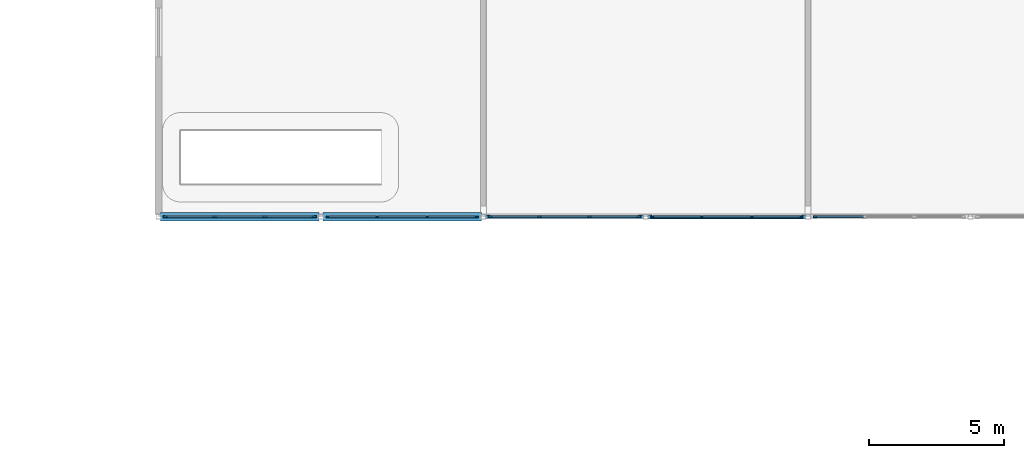
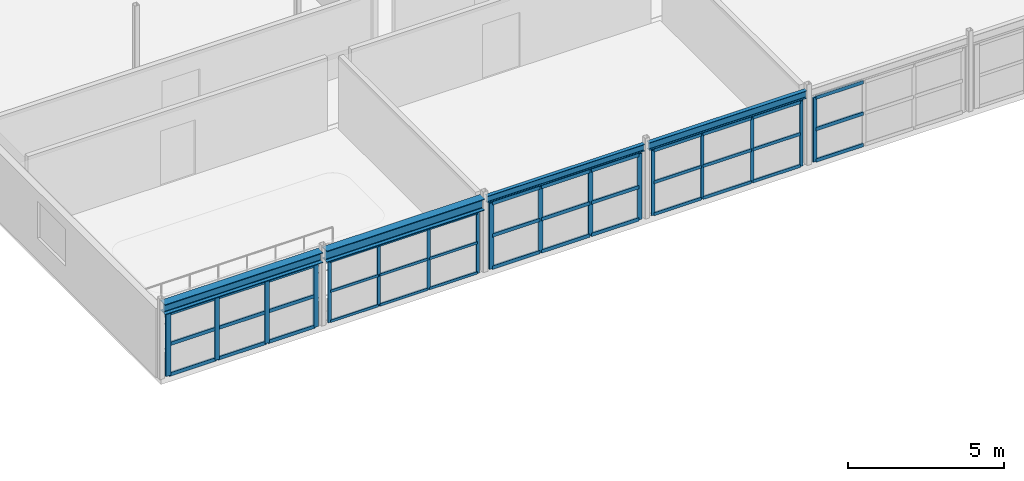
# One storey, part 38 of 137: 56 members, 4 beams, 5 elements without a shape of their own.
"""IFC4 building model written with IfcOpenShell, lengths in metres."""

from ifc_helpers import new_model, si_unit, direction, frame, origin, origin_2d, place, context, subcontext, project, spatial, rectangle, i_section, extrude, material, layer, layer_set, material_profile, profile_set, type_object, element, aggregate, save


model = new_model("IFC4")

# Units and contexts
model_context = context("Model", 3, precision=1e-05, world=origin(), true_north=direction((0.0, 1.0)))
body_context = subcontext(model_context, "Body", "Model", "MODEL_VIEW")
ifc_project = project(units=[si_unit("LENGTHUNIT", "METRE"), si_unit("AREAUNIT", "SQUARE_METRE"), si_unit("VOLUMEUNIT", "CUBIC_METRE"), si_unit("PLANEANGLEUNIT", "RADIAN"), si_unit("MASSUNIT", "GRAM", prefix="KILO"), si_unit("POWERUNIT", "WATT"), si_unit("THERMODYNAMICTEMPERATUREUNIT", "KELVIN")], contexts=[model_context])

# Site, building, storey
site_placement = place(None, origin())
site = spatial("IfcSite", under=ifc_project, at=site_placement, CompositionType="ELEMENT")
building_placement = place(site_placement, origin())
building = spatial("IfcBuilding", under=site, at=building_placement, Name="Ruvembo Vaulted Housing Court", CompositionType="ELEMENT")
storey_placement = place(building_placement, frame((0.0, 0.0, 4.5)))
storey = spatial("IfcBuildingStorey", under=building, at=storey_placement, Name="L01", CompositionType="ELEMENT", Elevation=4.5)

# Beams
ifc_material_1 = material(Name="Steel S355J2", Category="steel")
ifc_material_profile_1 = material_profile(ifc_material_1, i_section(OverallWidth=0.300048828125, OverallDepth=0.39990234375, WebThickness=0.013427734375, FlangeThickness=0.02392578125, FilletRadius=0.027099609375, at=origin_2d()), Name="HEB 400")
ifc_profile_set_1 = profile_set([ifc_material_profile_1], Name="Steel S355J2")
beam_type_1 = type_object("IfcBeamType", Name="BM-ST-HEB400", PredefinedType="BEAM", material=ifc_profile_set_1)
beam_1_placement = place(storey_placement, frame((6.074951171875, 84.0, 2.72607421875), z_axis=(1.0, 0.0, 0.0), x_axis=(0.0, 1.0, 0.0)))
element("IfcBeam", 1, at=beam_1_placement, inside=storey, type_object=beam_type_1, Name="L01 Grid Beam X #1246", PredefinedType="BEAM", context=body_context, shape_type="SweptSolid", body=[
    extrude(i_section(OverallWidth=0.300048828125, OverallDepth=0.39990234375, WebThickness=0.013427734375, FlangeThickness=0.02392578125, FilletRadius=0.027099609375, at=origin_2d()), origin(), (0.0, 0.0, 1.0), 5.85009765625),
])
ifc_material_profile_2 = material_profile(ifc_material_1, i_section(OverallWidth=0.300048828125, OverallDepth=0.449951171875, WebThickness=0.013916015625, FlangeThickness=0.02587890625, FilletRadius=0.027099609375, at=origin_2d()), Name="HEB 450")
ifc_profile_set_2 = profile_set([ifc_material_profile_2], Name="Steel S355J2")
beam_type_2 = type_object("IfcBeamType", Name="BM-ST-HEB450", PredefinedType="BEAM", material=ifc_profile_set_2)
beam_2_placement = place(storey_placement, frame((12.074951171875, 84.0, 2.700927734375), z_axis=(1.0, 0.0, 0.0), x_axis=(0.0, 1.0, 0.0)))
element("IfcBeam", 2, at=beam_2_placement, inside=storey, type_object=beam_type_2, Name="L01 Grid Beam X #1247", PredefinedType="BEAM", context=body_context, shape_type="SweptSolid", body=[
    extrude(i_section(OverallWidth=0.300048828125, OverallDepth=0.449951171875, WebThickness=0.013916015625, FlangeThickness=0.02587890625, FilletRadius=0.027099609375, at=origin_2d()), origin(), (0.0, 0.0, 1.0), 5.85009765625),
])
ifc_material_profile_3 = material_profile(ifc_material_1, i_section(OverallWidth=0.135009765625, OverallDepth=0.27001953125, WebThickness=0.006591796875, FlangeThickness=0.01025390625, FilletRadius=0.014892578125, at=origin_2d()), Name="IPE 270")
ifc_profile_set_3 = profile_set([ifc_material_profile_3], Name="Steel S355J2")
beam_type_3 = type_object("IfcBeamType", Name="BM-ST-IPE270", PredefinedType="BEAM", material=ifc_profile_set_3)
beam_3_placement = place(storey_placement, frame((18.074951171875, 84.0, 2.791015625), z_axis=(1.0, 0.0, 0.0), x_axis=(0.0, 1.0, 0.0)))
element("IfcBeam", 3, at=beam_3_placement, inside=storey, type_object=beam_type_3, Name="L01 Grid Beam X #1248", PredefinedType="BEAM", context=body_context, shape_type="SweptSolid", body=[
    extrude(i_section(OverallWidth=0.135009765625, OverallDepth=0.27001953125, WebThickness=0.006591796875, FlangeThickness=0.01025390625, FilletRadius=0.014892578125, at=origin_2d()), origin(), (0.0, 0.0, 1.0), 5.85009765625),
])
ifc_material_profile_4 = material_profile(ifc_material_1, i_section(OverallWidth=0.14990234375, OverallDepth=0.300048828125, WebThickness=0.007080078125, FlangeThickness=0.0107421875, FilletRadius=0.014892578125, at=origin_2d()), Name="IPE 300")
ifc_profile_set_4 = profile_set([ifc_material_profile_4], Name="Steel S355J2")
beam_type_4 = type_object("IfcBeamType", Name="BM-ST-IPE300", PredefinedType="BEAM", material=ifc_profile_set_4)
beam_4_placement = place(storey_placement, frame((24.074951171875, 84.0, 2.77587890625), z_axis=(1.0, 0.0, 0.0), x_axis=(0.0, 1.0, 0.0)))
element("IfcBeam", 4, at=beam_4_placement, inside=storey, type_object=beam_type_4, Name="L01 Grid Beam X #1249", PredefinedType="BEAM", context=body_context, shape_type="SweptSolid", body=[
    extrude(i_section(OverallWidth=0.14990234375, OverallDepth=0.300048828125, WebThickness=0.007080078125, FlangeThickness=0.0107421875, FilletRadius=0.014892578125, at=origin_2d()), origin(), (0.0, 0.0, 1.0), 5.85009765625),
])

# Curtain wall, members
ifc_material_2 = material(Name="Anodised Aluminium and Solar-Control Glass", Category="aluminium")
ifc_layer = layer(ifc_material_2, 0.1201171875, Name="Anodised Aluminium and Solar-Control Glass")
ifc_layer_set = layer_set([ifc_layer], Name="Anodised Aluminium and Solar-Control Glass")
curtain_wall_type = type_object("IfcCurtainWallType", Name="CW-NURSERY-U", PredefinedType="NOTDEFINED", material=ifc_layer_set)
curtain_wall_1_placement = place(storey_placement, origin())
curtain_wall_1 = element("IfcCurtainWall", 5, at=curtain_wall_1_placement, inside=storey, type_object=curtain_wall_type, Name="L01 Curtain Wall CW-L01-0131", PredefinedType="NOTDEFINED")
ifc_material_3 = material(Name="Anodised Aluminium 6063-T6", Category="aluminium")
ifc_material_profile_5 = material_profile(ifc_material_3, rectangle(XDim=0.054931640625, YDim=0.1201171875, at=origin_2d()), Name="ALU 55x120")
ifc_profile_set_5 = profile_set([ifc_material_profile_5], Name="Anodised Aluminium 6063-T6")
member_type_1 = type_object("IfcMemberType", Name="CW-MUL-55x120", PredefinedType="MULLION", material=ifc_profile_set_5)
member_1_placement = place(storey_placement, frame((12.25244140625, 84.0, 0.0), z_axis=(0.0, 0.0, 1.0), x_axis=(0.0, 1.0, 0.0)))
member_1 = element("IfcMember", 6, at=member_1_placement, type_object=member_type_1, Name="CW9 mullion 1", PredefinedType="MULLION", context=body_context, shape_type="SweptSolid", body=[
    extrude(rectangle(XDim=0.054931640625, YDim=0.1201171875, at=origin_2d()), origin(), (0.0, 0.0, 1.0), 2.407958984375),
])
member_2_placement = place(storey_placement, frame((14.074951171875, 84.0, 0.0), z_axis=(0.0, 0.0, 1.0), x_axis=(0.0, 1.0, 0.0)))
member_2 = element("IfcMember", 7, at=member_2_placement, type_object=member_type_1, Name="CW9 mullion 2", PredefinedType="MULLION", context=body_context, shape_type="SweptSolid", body=[
    extrude(rectangle(XDim=0.054931640625, YDim=0.1201171875, at=origin_2d()), origin(), (0.0, 0.0, 1.0), 2.407958984375),
])
member_3_placement = place(storey_placement, frame((15.925048828125, 84.0, 0.0), z_axis=(0.0, 0.0, 1.0), x_axis=(0.0, 1.0, 0.0)))
member_3 = element("IfcMember", 8, at=member_3_placement, type_object=member_type_1, Name="CW9 mullion 3", PredefinedType="MULLION", context=body_context, shape_type="SweptSolid", body=[
    extrude(rectangle(XDim=0.054931640625, YDim=0.1201171875, at=origin_2d()), origin(), (0.0, 0.0, 1.0), 2.407958984375),
])
member_4_placement = place(storey_placement, frame((17.74755859375, 84.0, 0.0), z_axis=(0.0, 0.0, 1.0), x_axis=(0.0, 1.0, 0.0)))
member_4 = element("IfcMember", 9, at=member_4_placement, type_object=member_type_1, Name="CW9 mullion 4", PredefinedType="MULLION", context=body_context, shape_type="SweptSolid", body=[
    extrude(rectangle(XDim=0.054931640625, YDim=0.1201171875, at=origin_2d()), origin(), (0.0, 0.0, 1.0), 2.407958984375),
])

curtain_wall_2_placement = place(storey_placement, origin())
curtain_wall_2 = element("IfcCurtainWall", 10, at=curtain_wall_2_placement, inside=storey, type_object=curtain_wall_type, Name="L01 Curtain Wall CW-L01-0135", PredefinedType="NOTDEFINED")
member_5_placement = place(storey_placement, frame((24.25244140625, 84.0, 0.0), z_axis=(0.0, 0.0, 1.0), x_axis=(0.0, 1.0, 0.0)))
member_5 = element("IfcMember", 11, at=member_5_placement, type_object=member_type_1, Name="CW9 mullion 1", PredefinedType="MULLION", context=body_context, shape_type="SweptSolid", body=[
    extrude(rectangle(XDim=0.054931640625, YDim=0.1201171875, at=origin_2d()), origin(), (0.0, 0.0, 1.0), 2.55810546875),
])
member_6_placement = place(storey_placement, frame((26.074951171875, 84.0, 0.0), z_axis=(0.0, 0.0, 1.0), x_axis=(0.0, 1.0, 0.0)))
member_6 = element("IfcMember", 12, at=member_6_placement, type_object=member_type_1, Name="CW9 mullion 2", PredefinedType="MULLION", context=body_context, shape_type="SweptSolid", body=[
    extrude(rectangle(XDim=0.054931640625, YDim=0.1201171875, at=origin_2d()), origin(), (0.0, 0.0, 1.0), 2.55810546875),
])
member_7_placement = place(storey_placement, frame((27.925048828125, 84.0, 0.0), z_axis=(0.0, 0.0, 1.0), x_axis=(0.0, 1.0, 0.0)))
member_7 = element("IfcMember", 13, at=member_7_placement, type_object=member_type_1, Name="CW9 mullion 3", PredefinedType="MULLION", context=body_context, shape_type="SweptSolid", body=[
    extrude(rectangle(XDim=0.054931640625, YDim=0.1201171875, at=origin_2d()), origin(), (0.0, 0.0, 1.0), 2.55810546875),
])
member_8_placement = place(storey_placement, frame((29.74755859375, 84.0, 0.0), z_axis=(0.0, 0.0, 1.0), x_axis=(0.0, 1.0, 0.0)))
member_8 = element("IfcMember", 14, at=member_8_placement, type_object=member_type_1, Name="CW9 mullion 4", PredefinedType="MULLION", context=body_context, shape_type="SweptSolid", body=[
    extrude(rectangle(XDim=0.054931640625, YDim=0.1201171875, at=origin_2d()), origin(), (0.0, 0.0, 1.0), 2.55810546875),
])

# Curtain wall, member
curtain_wall_3_placement = place(storey_placement, origin())
curtain_wall_3 = element("IfcCurtainWall", 15, at=curtain_wall_3_placement, inside=storey, type_object=curtain_wall_type, Name="L01 Curtain Wall CW-L01-0136", PredefinedType="NOTDEFINED")
ifc_material_profile_6 = material_profile(ifc_material_3, rectangle(XDim=0.06005859375, YDim=0.139892578125, at=origin_2d()), Name="ALU 60x140")
ifc_profile_set_6 = profile_set([ifc_material_profile_6], Name="Anodised Aluminium 6063-T6")
member_type_2 = type_object("IfcMemberType", Name="CW-MUL-60x140", PredefinedType="MULLION", material=ifc_profile_set_6)
member_9_placement = place(storey_placement, frame((30.2548828125, 84.0, 0.0), z_axis=(0.0, 0.0, 1.0), x_axis=(0.0, 1.0, 0.0)))
member_9 = element("IfcMember", 16, at=member_9_placement, type_object=member_type_2, Name="CW9 mullion 1", PredefinedType="MULLION", context=body_context, shape_type="SweptSolid", body=[
    extrude(rectangle(XDim=0.06005859375, YDim=0.139892578125, at=origin_2d()), origin(), (0.0, 0.0, 1.0), 2.528076171875),
])

# Curtain wall, members
curtain_wall_4_placement = place(storey_placement, origin())
curtain_wall_4 = element("IfcCurtainWall", 17, at=curtain_wall_4_placement, inside=storey, type_object=curtain_wall_type, Name="L01 Curtain Wall CW-L01-0130", PredefinedType="NOTDEFINED")
ifc_material_profile_7 = material_profile(ifc_material_3, rectangle(XDim=0.06494140625, YDim=0.179931640625, at=origin_2d()), Name="ALU 65x180")
ifc_profile_set_7 = profile_set([ifc_material_profile_7], Name="Anodised Aluminium 6063-T6")
member_type_3 = type_object("IfcMemberType", Name="CW-MUL-65x180", PredefinedType="MULLION", material=ifc_profile_set_7)
member_10_placement = place(storey_placement, frame((6.257568359375, 84.0, 0.0), z_axis=(0.0, 0.0, 1.0), x_axis=(0.0, 1.0, 0.0)))
member_10 = element("IfcMember", 18, at=member_10_placement, type_object=member_type_3, Name="CW9 mullion 1", PredefinedType="MULLION", context=body_context, shape_type="SweptSolid", body=[
    extrude(rectangle(XDim=0.06494140625, YDim=0.179931640625, at=origin_2d()), origin(), (0.0, 0.0, 1.0), 2.4580078125),
])
member_11_placement = place(storey_placement, frame((8.074951171875, 84.0, 0.0), z_axis=(0.0, 0.0, 1.0), x_axis=(0.0, 1.0, 0.0)))
member_11 = element("IfcMember", 19, at=member_11_placement, type_object=member_type_3, Name="CW9 mullion 2", PredefinedType="MULLION", context=body_context, shape_type="SweptSolid", body=[
    extrude(rectangle(XDim=0.06494140625, YDim=0.179931640625, at=origin_2d()), origin(), (0.0, 0.0, 1.0), 2.4580078125),
])
member_12_placement = place(storey_placement, frame((9.925048828125, 84.0, 0.0), z_axis=(0.0, 0.0, 1.0), x_axis=(0.0, 1.0, 0.0)))
member_12 = element("IfcMember", 20, at=member_12_placement, type_object=member_type_3, Name="CW9 mullion 3", PredefinedType="MULLION", context=body_context, shape_type="SweptSolid", body=[
    extrude(rectangle(XDim=0.06494140625, YDim=0.179931640625, at=origin_2d()), origin(), (0.0, 0.0, 1.0), 2.4580078125),
])
member_13_placement = place(storey_placement, frame((11.742431640625, 84.0, 0.0), z_axis=(0.0, 0.0, 1.0), x_axis=(0.0, 1.0, 0.0)))
member_13 = element("IfcMember", 21, at=member_13_placement, type_object=member_type_3, Name="CW9 mullion 4", PredefinedType="MULLION", context=body_context, shape_type="SweptSolid", body=[
    extrude(rectangle(XDim=0.06494140625, YDim=0.179931640625, at=origin_2d()), origin(), (0.0, 0.0, 1.0), 2.4580078125),
])

curtain_wall_5_placement = place(storey_placement, origin())
curtain_wall_5 = element("IfcCurtainWall", 22, at=curtain_wall_5_placement, inside=storey, type_object=curtain_wall_type, Name="L01 Curtain Wall CW-L01-0133", PredefinedType="NOTDEFINED")
ifc_material_profile_8 = material_profile(ifc_material_3, rectangle(XDim=0.06005859375, YDim=0.159912109375, at=origin_2d()), Name="ALU 60x160")
ifc_profile_set_8 = profile_set([ifc_material_profile_8], Name="Anodised Aluminium 6063-T6")
member_type_4 = type_object("IfcMemberType", Name="CW-MULLION-65x150", PredefinedType="MULLION", material=ifc_profile_set_8)
member_14_placement = place(storey_placement, frame((18.2548828125, 84.0, 0.0), z_axis=(0.0, 0.0, 1.0), x_axis=(0.0, 1.0, 0.0)))
member_14 = element("IfcMember", 23, at=member_14_placement, type_object=member_type_4, Name="CW9 mullion 1", PredefinedType="MULLION", context=body_context, shape_type="SweptSolid", body=[
    extrude(rectangle(XDim=0.06005859375, YDim=0.159912109375, at=origin_2d()), origin(), (0.0, 0.0, 1.0), 2.587890625),
])
member_15_placement = place(storey_placement, frame((20.074951171875, 84.0, 0.0), z_axis=(0.0, 0.0, 1.0), x_axis=(0.0, 1.0, 0.0)))
member_15 = element("IfcMember", 24, at=member_15_placement, type_object=member_type_4, Name="CW9 mullion 2", PredefinedType="MULLION", context=body_context, shape_type="SweptSolid", body=[
    extrude(rectangle(XDim=0.06005859375, YDim=0.159912109375, at=origin_2d()), origin(), (0.0, 0.0, 1.0), 2.587890625),
])
member_16_placement = place(storey_placement, frame((21.925048828125, 84.0, 0.0), z_axis=(0.0, 0.0, 1.0), x_axis=(0.0, 1.0, 0.0)))
member_16 = element("IfcMember", 25, at=member_16_placement, type_object=member_type_4, Name="CW9 mullion 3", PredefinedType="MULLION", context=body_context, shape_type="SweptSolid", body=[
    extrude(rectangle(XDim=0.06005859375, YDim=0.159912109375, at=origin_2d()), origin(), (0.0, 0.0, 1.0), 2.587890625),
])
member_17_placement = place(storey_placement, frame((23.7451171875, 84.0, 0.0), z_axis=(0.0, 0.0, 1.0), x_axis=(0.0, 1.0, 0.0)))
member_17 = element("IfcMember", 26, at=member_17_placement, type_object=member_type_4, Name="CW9 mullion 4", PredefinedType="MULLION", context=body_context, shape_type="SweptSolid", body=[
    extrude(rectangle(XDim=0.06005859375, YDim=0.159912109375, at=origin_2d()), origin(), (0.0, 0.0, 1.0), 2.587890625),
])

# Member
ifc_material_profile_9 = material_profile(ifc_material_3, rectangle(XDim=0.06005859375, YDim=0.1201171875, at=origin_2d()), Name="ALU 60x120")
ifc_profile_set_9 = profile_set([ifc_material_profile_9], Name="Anodised Aluminium 6063-T6")
member_type_5 = type_object("IfcMemberType", Name="CW-TRANSOM-65x120", PredefinedType="USERDEFINED", material=ifc_profile_set_9)
member_18_placement = place(storey_placement, frame((24.280029296875, 84.0, 0.030029296875), z_axis=(1.0, 0.0, 0.0), x_axis=(0.0, 1.0, 0.0)))
member_18 = element("IfcMember", 27, at=member_18_placement, type_object=member_type_5, Name="CW9 transom 1.1", ObjectType="TRANSOM", PredefinedType="USERDEFINED", context=body_context, shape_type="SweptSolid", body=[
    extrude(rectangle(XDim=0.06005859375, YDim=0.1201171875, at=origin_2d()), origin(), (0.0, 0.0, 1.0), 1.767578125),
])

member_19_placement = place(storey_placement, frame((24.280029296875, 84.0, 1.279052734375), z_axis=(1.0, 0.0, 0.0), x_axis=(0.0, 1.0, 0.0)))
member_19 = element("IfcMember", 28, at=member_19_placement, type_object=member_type_5, Name="CW9 transom 1.2", ObjectType="TRANSOM", PredefinedType="USERDEFINED", context=body_context, shape_type="SweptSolid", body=[
    extrude(rectangle(XDim=0.06005859375, YDim=0.1201171875, at=origin_2d()), origin(), (0.0, 0.0, 1.0), 1.767578125),
])

member_20_placement = place(storey_placement, frame((24.280029296875, 84.0, 2.528076171875), z_axis=(1.0, 0.0, 0.0), x_axis=(0.0, 1.0, 0.0)))
member_20 = element("IfcMember", 29, at=member_20_placement, type_object=member_type_5, Name="CW9 transom 1.3", ObjectType="TRANSOM", PredefinedType="USERDEFINED", context=body_context, shape_type="SweptSolid", body=[
    extrude(rectangle(XDim=0.06005859375, YDim=0.1201171875, at=origin_2d()), origin(), (0.0, 0.0, 1.0), 1.767578125),
])

member_21_placement = place(storey_placement, frame((26.1025390625, 84.0, 0.030029296875), z_axis=(1.0, 0.0, 0.0), x_axis=(0.0, 1.0, 0.0)))
member_21 = element("IfcMember", 30, at=member_21_placement, type_object=member_type_5, Name="CW9 transom 2.1", ObjectType="TRANSOM", PredefinedType="USERDEFINED", context=body_context, shape_type="SweptSolid", body=[
    extrude(rectangle(XDim=0.06005859375, YDim=0.1201171875, at=origin_2d()), origin(), (0.0, 0.0, 1.0), 1.794921875),
])

member_22_placement = place(storey_placement, frame((26.1025390625, 84.0, 1.279052734375), z_axis=(1.0, 0.0, 0.0), x_axis=(0.0, 1.0, 0.0)))
member_22 = element("IfcMember", 31, at=member_22_placement, type_object=member_type_5, Name="CW9 transom 2.2", ObjectType="TRANSOM", PredefinedType="USERDEFINED", context=body_context, shape_type="SweptSolid", body=[
    extrude(rectangle(XDim=0.06005859375, YDim=0.1201171875, at=origin_2d()), origin(), (0.0, 0.0, 1.0), 1.794921875),
])

member_23_placement = place(storey_placement, frame((26.1025390625, 84.0, 2.528076171875), z_axis=(1.0, 0.0, 0.0), x_axis=(0.0, 1.0, 0.0)))
member_23 = element("IfcMember", 32, at=member_23_placement, type_object=member_type_5, Name="CW9 transom 2.3", ObjectType="TRANSOM", PredefinedType="USERDEFINED", context=body_context, shape_type="SweptSolid", body=[
    extrude(rectangle(XDim=0.06005859375, YDim=0.1201171875, at=origin_2d()), origin(), (0.0, 0.0, 1.0), 1.794921875),
])

member_24_placement = place(storey_placement, frame((27.952392578125, 84.0, 0.030029296875), z_axis=(1.0, 0.0, 0.0), x_axis=(0.0, 1.0, 0.0)))
member_24 = element("IfcMember", 33, at=member_24_placement, type_object=member_type_5, Name="CW9 transom 3.1", ObjectType="TRANSOM", PredefinedType="USERDEFINED", context=body_context, shape_type="SweptSolid", body=[
    extrude(rectangle(XDim=0.06005859375, YDim=0.1201171875, at=origin_2d()), origin(), (0.0, 0.0, 1.0), 1.767578125),
])

member_25_placement = place(storey_placement, frame((27.952392578125, 84.0, 1.279052734375), z_axis=(1.0, 0.0, 0.0), x_axis=(0.0, 1.0, 0.0)))
member_25 = element("IfcMember", 34, at=member_25_placement, type_object=member_type_5, Name="CW9 transom 3.2", ObjectType="TRANSOM", PredefinedType="USERDEFINED", context=body_context, shape_type="SweptSolid", body=[
    extrude(rectangle(XDim=0.06005859375, YDim=0.1201171875, at=origin_2d()), origin(), (0.0, 0.0, 1.0), 1.767578125),
])

member_26_placement = place(storey_placement, frame((27.952392578125, 84.0, 2.528076171875), z_axis=(1.0, 0.0, 0.0), x_axis=(0.0, 1.0, 0.0)))
member_26 = element("IfcMember", 35, at=member_26_placement, type_object=member_type_5, Name="CW9 transom 3.3", ObjectType="TRANSOM", PredefinedType="USERDEFINED", context=body_context, shape_type="SweptSolid", body=[
    extrude(rectangle(XDim=0.06005859375, YDim=0.1201171875, at=origin_2d()), origin(), (0.0, 0.0, 1.0), 1.767578125),
])

aggregate(curtain_wall_2, [member_5, member_6, member_7, member_8, member_18, member_19, member_20, member_21, member_22, member_23, member_24, member_25, member_26])

ifc_material_profile_10 = material_profile(ifc_material_3, rectangle(XDim=0.06005859375, YDim=0.10009765625, at=origin_2d()), Name="ALU 60x100")
ifc_profile_set_10 = profile_set([ifc_material_profile_10], Name="Anodised Aluminium 6063-T6")
member_type_6 = type_object("IfcMemberType", Name="CW-TRN-60x100", PredefinedType="USERDEFINED", material=ifc_profile_set_10)
member_27_placement = place(storey_placement, frame((12.280029296875, 84.0, 0.030029296875), z_axis=(1.0, 0.0, 0.0), x_axis=(0.0, 1.0, 0.0)))
member_27 = element("IfcMember", 36, at=member_27_placement, type_object=member_type_6, Name="CW9 transom 1.1", ObjectType="TRANSOM", PredefinedType="USERDEFINED", context=body_context, shape_type="SweptSolid", body=[
    extrude(rectangle(XDim=0.06005859375, YDim=0.10009765625, at=origin_2d()), origin(), (0.0, 0.0, 1.0), 1.767578125),
])

member_28_placement = place(storey_placement, frame((12.280029296875, 84.0, 1.2041015625), z_axis=(1.0, 0.0, 0.0), x_axis=(0.0, 1.0, 0.0)))
member_28 = element("IfcMember", 37, at=member_28_placement, type_object=member_type_6, Name="CW9 transom 1.2", ObjectType="TRANSOM", PredefinedType="USERDEFINED", context=body_context, shape_type="SweptSolid", body=[
    extrude(rectangle(XDim=0.06005859375, YDim=0.10009765625, at=origin_2d()), origin(), (0.0, 0.0, 1.0), 1.767578125),
])

member_29_placement = place(storey_placement, frame((12.280029296875, 84.0, 2.3779296875), z_axis=(1.0, 0.0, 0.0), x_axis=(0.0, 1.0, 0.0)))
member_29 = element("IfcMember", 38, at=member_29_placement, type_object=member_type_6, Name="CW9 transom 1.3", ObjectType="TRANSOM", PredefinedType="USERDEFINED", context=body_context, shape_type="SweptSolid", body=[
    extrude(rectangle(XDim=0.06005859375, YDim=0.10009765625, at=origin_2d()), origin(), (0.0, 0.0, 1.0), 1.767578125),
])

member_30_placement = place(storey_placement, frame((14.1025390625, 84.0, 0.030029296875), z_axis=(1.0, 0.0, 0.0), x_axis=(0.0, 1.0, 0.0)))
member_30 = element("IfcMember", 39, at=member_30_placement, type_object=member_type_6, Name="CW9 transom 2.1", ObjectType="TRANSOM", PredefinedType="USERDEFINED", context=body_context, shape_type="SweptSolid", body=[
    extrude(rectangle(XDim=0.06005859375, YDim=0.10009765625, at=origin_2d()), origin(), (0.0, 0.0, 1.0), 1.794921875),
])

member_31_placement = place(storey_placement, frame((14.1025390625, 84.0, 1.2041015625), z_axis=(1.0, 0.0, 0.0), x_axis=(0.0, 1.0, 0.0)))
member_31 = element("IfcMember", 40, at=member_31_placement, type_object=member_type_6, Name="CW9 transom 2.2", ObjectType="TRANSOM", PredefinedType="USERDEFINED", context=body_context, shape_type="SweptSolid", body=[
    extrude(rectangle(XDim=0.06005859375, YDim=0.10009765625, at=origin_2d()), origin(), (0.0, 0.0, 1.0), 1.794921875),
])

member_32_placement = place(storey_placement, frame((14.1025390625, 84.0, 2.3779296875), z_axis=(1.0, 0.0, 0.0), x_axis=(0.0, 1.0, 0.0)))
member_32 = element("IfcMember", 41, at=member_32_placement, type_object=member_type_6, Name="CW9 transom 2.3", ObjectType="TRANSOM", PredefinedType="USERDEFINED", context=body_context, shape_type="SweptSolid", body=[
    extrude(rectangle(XDim=0.06005859375, YDim=0.10009765625, at=origin_2d()), origin(), (0.0, 0.0, 1.0), 1.794921875),
])

member_33_placement = place(storey_placement, frame((15.952392578125, 84.0, 0.030029296875), z_axis=(1.0, 0.0, 0.0), x_axis=(0.0, 1.0, 0.0)))
member_33 = element("IfcMember", 42, at=member_33_placement, type_object=member_type_6, Name="CW9 transom 3.1", ObjectType="TRANSOM", PredefinedType="USERDEFINED", context=body_context, shape_type="SweptSolid", body=[
    extrude(rectangle(XDim=0.06005859375, YDim=0.10009765625, at=origin_2d()), origin(), (0.0, 0.0, 1.0), 1.767578125),
])

member_34_placement = place(storey_placement, frame((15.952392578125, 84.0, 1.2041015625), z_axis=(1.0, 0.0, 0.0), x_axis=(0.0, 1.0, 0.0)))
member_34 = element("IfcMember", 43, at=member_34_placement, type_object=member_type_6, Name="CW9 transom 3.2", ObjectType="TRANSOM", PredefinedType="USERDEFINED", context=body_context, shape_type="SweptSolid", body=[
    extrude(rectangle(XDim=0.06005859375, YDim=0.10009765625, at=origin_2d()), origin(), (0.0, 0.0, 1.0), 1.767578125),
])

member_35_placement = place(storey_placement, frame((15.952392578125, 84.0, 2.3779296875), z_axis=(1.0, 0.0, 0.0), x_axis=(0.0, 1.0, 0.0)))
member_35 = element("IfcMember", 44, at=member_35_placement, type_object=member_type_6, Name="CW9 transom 3.3", ObjectType="TRANSOM", PredefinedType="USERDEFINED", context=body_context, shape_type="SweptSolid", body=[
    extrude(rectangle(XDim=0.06005859375, YDim=0.10009765625, at=origin_2d()), origin(), (0.0, 0.0, 1.0), 1.767578125),
])

aggregate(curtain_wall_1, [member_1, member_2, member_3, member_4, member_27, member_28, member_29, member_30, member_31, member_32, member_33, member_34, member_35])

ifc_material_profile_11 = material_profile(ifc_material_3, rectangle(XDim=0.06494140625, YDim=0.135009765625, at=origin_2d()), Name="ALU 65x135")
ifc_profile_set_11 = profile_set([ifc_material_profile_11], Name="Anodised Aluminium 6063-T6")
member_type_7 = type_object("IfcMemberType", Name="CW-TRN-65x135", PredefinedType="USERDEFINED", material=ifc_profile_set_11)
member_36_placement = place(storey_placement, frame((6.2900390625, 84.0, 0.032470703125), z_axis=(1.0, 0.0, 0.0), x_axis=(0.0, 1.0, 0.0)))
member_36 = element("IfcMember", 45, at=member_36_placement, type_object=member_type_7, Name="CW9 transom 1.1", ObjectType="TRANSOM", PredefinedType="USERDEFINED", context=body_context, shape_type="SweptSolid", body=[
    extrude(rectangle(XDim=0.06494140625, YDim=0.135009765625, at=origin_2d()), origin(), (0.0, 0.0, 1.0), 1.75244140625),
])

member_37_placement = place(storey_placement, frame((6.2900390625, 84.0, 1.22900390625), z_axis=(1.0, 0.0, 0.0), x_axis=(0.0, 1.0, 0.0)))
member_37 = element("IfcMember", 46, at=member_37_placement, type_object=member_type_7, Name="CW9 transom 1.2", ObjectType="TRANSOM", PredefinedType="USERDEFINED", context=body_context, shape_type="SweptSolid", body=[
    extrude(rectangle(XDim=0.06494140625, YDim=0.135009765625, at=origin_2d()), origin(), (0.0, 0.0, 1.0), 1.75244140625),
])

member_38_placement = place(storey_placement, frame((6.2900390625, 84.0, 2.425537109375), z_axis=(1.0, 0.0, 0.0), x_axis=(0.0, 1.0, 0.0)))
member_38 = element("IfcMember", 47, at=member_38_placement, type_object=member_type_7, Name="CW9 transom 1.3", ObjectType="TRANSOM", PredefinedType="USERDEFINED", context=body_context, shape_type="SweptSolid", body=[
    extrude(rectangle(XDim=0.06494140625, YDim=0.135009765625, at=origin_2d()), origin(), (0.0, 0.0, 1.0), 1.75244140625),
])

member_39_placement = place(storey_placement, frame((8.107421875, 84.0, 0.032470703125), z_axis=(1.0, 0.0, 0.0), x_axis=(0.0, 1.0, 0.0)))
member_39 = element("IfcMember", 48, at=member_39_placement, type_object=member_type_7, Name="CW9 transom 2.1", ObjectType="TRANSOM", PredefinedType="USERDEFINED", context=body_context, shape_type="SweptSolid", body=[
    extrude(rectangle(XDim=0.06494140625, YDim=0.135009765625, at=origin_2d()), origin(), (0.0, 0.0, 1.0), 1.78515625),
])

member_40_placement = place(storey_placement, frame((8.107421875, 84.0, 1.22900390625), z_axis=(1.0, 0.0, 0.0), x_axis=(0.0, 1.0, 0.0)))
member_40 = element("IfcMember", 49, at=member_40_placement, type_object=member_type_7, Name="CW9 transom 2.2", ObjectType="TRANSOM", PredefinedType="USERDEFINED", context=body_context, shape_type="SweptSolid", body=[
    extrude(rectangle(XDim=0.06494140625, YDim=0.135009765625, at=origin_2d()), origin(), (0.0, 0.0, 1.0), 1.78515625),
])

member_41_placement = place(storey_placement, frame((8.107421875, 84.0, 2.425537109375), z_axis=(1.0, 0.0, 0.0), x_axis=(0.0, 1.0, 0.0)))
member_41 = element("IfcMember", 50, at=member_41_placement, type_object=member_type_7, Name="CW9 transom 2.3", ObjectType="TRANSOM", PredefinedType="USERDEFINED", context=body_context, shape_type="SweptSolid", body=[
    extrude(rectangle(XDim=0.06494140625, YDim=0.135009765625, at=origin_2d()), origin(), (0.0, 0.0, 1.0), 1.78515625),
])

member_42_placement = place(storey_placement, frame((9.95751953125, 84.0, 0.032470703125), z_axis=(1.0, 0.0, 0.0), x_axis=(0.0, 1.0, 0.0)))
member_42 = element("IfcMember", 51, at=member_42_placement, type_object=member_type_7, Name="CW9 transom 3.1", ObjectType="TRANSOM", PredefinedType="USERDEFINED", context=body_context, shape_type="SweptSolid", body=[
    extrude(rectangle(XDim=0.06494140625, YDim=0.135009765625, at=origin_2d()), origin(), (0.0, 0.0, 1.0), 1.75244140625),
])

member_43_placement = place(storey_placement, frame((9.95751953125, 84.0, 1.22900390625), z_axis=(1.0, 0.0, 0.0), x_axis=(0.0, 1.0, 0.0)))
member_43 = element("IfcMember", 52, at=member_43_placement, type_object=member_type_7, Name="CW9 transom 3.2", ObjectType="TRANSOM", PredefinedType="USERDEFINED", context=body_context, shape_type="SweptSolid", body=[
    extrude(rectangle(XDim=0.06494140625, YDim=0.135009765625, at=origin_2d()), origin(), (0.0, 0.0, 1.0), 1.75244140625),
])

member_44_placement = place(storey_placement, frame((9.95751953125, 84.0, 2.425537109375), z_axis=(1.0, 0.0, 0.0), x_axis=(0.0, 1.0, 0.0)))
member_44 = element("IfcMember", 53, at=member_44_placement, type_object=member_type_7, Name="CW9 transom 3.3", ObjectType="TRANSOM", PredefinedType="USERDEFINED", context=body_context, shape_type="SweptSolid", body=[
    extrude(rectangle(XDim=0.06494140625, YDim=0.135009765625, at=origin_2d()), origin(), (0.0, 0.0, 1.0), 1.75244140625),
])

aggregate(curtain_wall_4, [member_10, member_11, member_12, member_13, member_36, member_37, member_38, member_39, member_40, member_41, member_42, member_43, member_44])

member_45_placement = place(storey_placement, frame((18.284912109375, 84.0, 0.032470703125), z_axis=(1.0, 0.0, 0.0), x_axis=(0.0, 1.0, 0.0)))
member_45 = element("IfcMember", 54, at=member_45_placement, type_object=member_type_7, Name="CW9 transom 1.1", ObjectType="TRANSOM", PredefinedType="USERDEFINED", context=body_context, shape_type="SweptSolid", body=[
    extrude(rectangle(XDim=0.06494140625, YDim=0.135009765625, at=origin_2d()), origin(), (0.0, 0.0, 1.0), 1.760009765625),
])

member_46_placement = place(storey_placement, frame((18.284912109375, 84.0, 1.2939453125), z_axis=(1.0, 0.0, 0.0), x_axis=(0.0, 1.0, 0.0)))
member_46 = element("IfcMember", 55, at=member_46_placement, type_object=member_type_7, Name="CW9 transom 1.2", ObjectType="TRANSOM", PredefinedType="USERDEFINED", context=body_context, shape_type="SweptSolid", body=[
    extrude(rectangle(XDim=0.06494140625, YDim=0.135009765625, at=origin_2d()), origin(), (0.0, 0.0, 1.0), 1.760009765625),
])

member_47_placement = place(storey_placement, frame((18.284912109375, 84.0, 2.555419921875), z_axis=(1.0, 0.0, 0.0), x_axis=(0.0, 1.0, 0.0)))
member_47 = element("IfcMember", 56, at=member_47_placement, type_object=member_type_7, Name="CW9 transom 1.3", ObjectType="TRANSOM", PredefinedType="USERDEFINED", context=body_context, shape_type="SweptSolid", body=[
    extrude(rectangle(XDim=0.06494140625, YDim=0.135009765625, at=origin_2d()), origin(), (0.0, 0.0, 1.0), 1.760009765625),
])

member_48_placement = place(storey_placement, frame((20.10498046875, 84.0, 0.032470703125), z_axis=(1.0, 0.0, 0.0), x_axis=(0.0, 1.0, 0.0)))
member_48 = element("IfcMember", 57, at=member_48_placement, type_object=member_type_7, Name="CW9 transom 2.1", ObjectType="TRANSOM", PredefinedType="USERDEFINED", context=body_context, shape_type="SweptSolid", body=[
    extrude(rectangle(XDim=0.06494140625, YDim=0.135009765625, at=origin_2d()), origin(), (0.0, 0.0, 1.0), 1.7900390625),
])

member_49_placement = place(storey_placement, frame((20.10498046875, 84.0, 1.2939453125), z_axis=(1.0, 0.0, 0.0), x_axis=(0.0, 1.0, 0.0)))
member_49 = element("IfcMember", 58, at=member_49_placement, type_object=member_type_7, Name="CW9 transom 2.2", ObjectType="TRANSOM", PredefinedType="USERDEFINED", context=body_context, shape_type="SweptSolid", body=[
    extrude(rectangle(XDim=0.06494140625, YDim=0.135009765625, at=origin_2d()), origin(), (0.0, 0.0, 1.0), 1.7900390625),
])

member_50_placement = place(storey_placement, frame((20.10498046875, 84.0, 2.555419921875), z_axis=(1.0, 0.0, 0.0), x_axis=(0.0, 1.0, 0.0)))
member_50 = element("IfcMember", 59, at=member_50_placement, type_object=member_type_7, Name="CW9 transom 2.3", ObjectType="TRANSOM", PredefinedType="USERDEFINED", context=body_context, shape_type="SweptSolid", body=[
    extrude(rectangle(XDim=0.06494140625, YDim=0.135009765625, at=origin_2d()), origin(), (0.0, 0.0, 1.0), 1.7900390625),
])

member_51_placement = place(storey_placement, frame((21.955078125, 84.0, 0.032470703125), z_axis=(1.0, 0.0, 0.0), x_axis=(0.0, 1.0, 0.0)))
member_51 = element("IfcMember", 60, at=member_51_placement, type_object=member_type_7, Name="CW9 transom 3.1", ObjectType="TRANSOM", PredefinedType="USERDEFINED", context=body_context, shape_type="SweptSolid", body=[
    extrude(rectangle(XDim=0.06494140625, YDim=0.135009765625, at=origin_2d()), origin(), (0.0, 0.0, 1.0), 1.760009765625),
])

member_52_placement = place(storey_placement, frame((21.955078125, 84.0, 1.2939453125), z_axis=(1.0, 0.0, 0.0), x_axis=(0.0, 1.0, 0.0)))
member_52 = element("IfcMember", 61, at=member_52_placement, type_object=member_type_7, Name="CW9 transom 3.2", ObjectType="TRANSOM", PredefinedType="USERDEFINED", context=body_context, shape_type="SweptSolid", body=[
    extrude(rectangle(XDim=0.06494140625, YDim=0.135009765625, at=origin_2d()), origin(), (0.0, 0.0, 1.0), 1.760009765625),
])

member_53_placement = place(storey_placement, frame((21.955078125, 84.0, 2.555419921875), z_axis=(1.0, 0.0, 0.0), x_axis=(0.0, 1.0, 0.0)))
member_53 = element("IfcMember", 62, at=member_53_placement, type_object=member_type_7, Name="CW9 transom 3.3", ObjectType="TRANSOM", PredefinedType="USERDEFINED", context=body_context, shape_type="SweptSolid", body=[
    extrude(rectangle(XDim=0.06494140625, YDim=0.135009765625, at=origin_2d()), origin(), (0.0, 0.0, 1.0), 1.760009765625),
])

aggregate(curtain_wall_5, [member_14, member_15, member_16, member_17, member_45, member_46, member_47, member_48, member_49, member_50, member_51, member_52, member_53])

member_54_placement = place(storey_placement, frame((30.284912109375, 84.0, 0.032470703125), z_axis=(1.0, 0.0, 0.0), x_axis=(0.0, 1.0, 0.0)))
member_54 = element("IfcMember", 63, at=member_54_placement, type_object=member_type_7, Name="CW9 transom 1.1", ObjectType="TRANSOM", PredefinedType="USERDEFINED", context=body_context, shape_type="SweptSolid", body=[
    extrude(rectangle(XDim=0.06494140625, YDim=0.135009765625, at=origin_2d()), origin(), (0.0, 0.0, 1.0), 1.760009765625),
])

member_55_placement = place(storey_placement, frame((30.284912109375, 84.0, 1.263916015625), z_axis=(1.0, 0.0, 0.0), x_axis=(0.0, 1.0, 0.0)))
member_55 = element("IfcMember", 64, at=member_55_placement, type_object=member_type_7, Name="CW9 transom 1.2", ObjectType="TRANSOM", PredefinedType="USERDEFINED", context=body_context, shape_type="SweptSolid", body=[
    extrude(rectangle(XDim=0.06494140625, YDim=0.135009765625, at=origin_2d()), origin(), (0.0, 0.0, 1.0), 1.760009765625),
])

member_56_placement = place(storey_placement, frame((30.284912109375, 84.0, 2.49560546875), z_axis=(1.0, 0.0, 0.0), x_axis=(0.0, 1.0, 0.0)))
member_56 = element("IfcMember", 65, at=member_56_placement, type_object=member_type_7, Name="CW9 transom 1.3", ObjectType="TRANSOM", PredefinedType="USERDEFINED", context=body_context, shape_type="SweptSolid", body=[
    extrude(rectangle(XDim=0.06494140625, YDim=0.135009765625, at=origin_2d()), origin(), (0.0, 0.0, 1.0), 1.760009765625),
])

aggregate(curtain_wall_3, [member_9, member_54, member_55, member_56])

save(model, "model.ifc")
